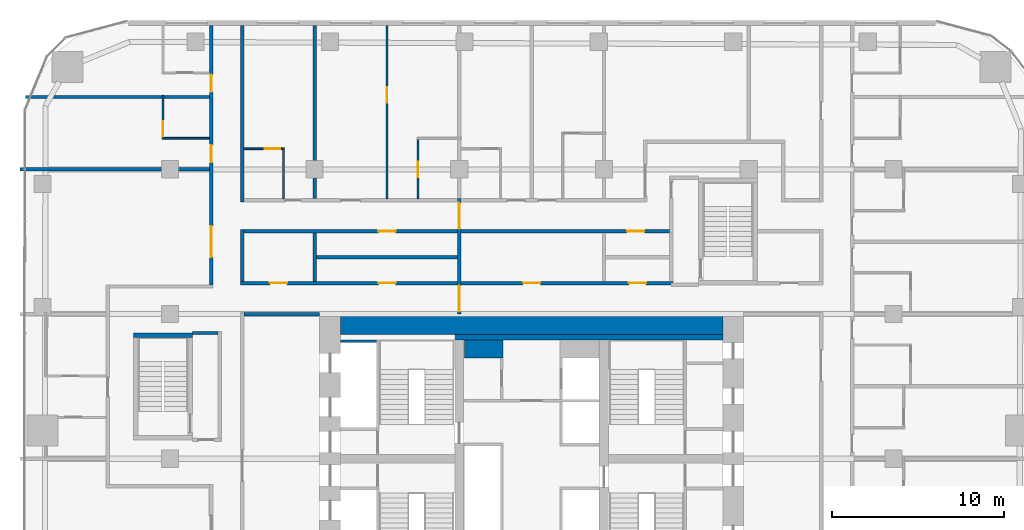
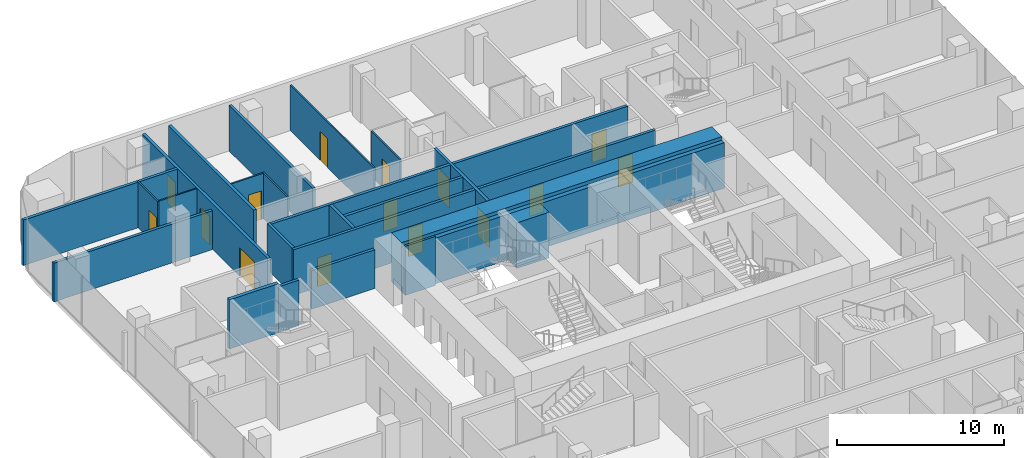
# One storey, part 21 of 26: 24 walls, 15 doors, 15 openings.
"""IFC4 building model written with IfcOpenShell, lengths in metres."""

import ifcopenshell
import ifcopenshell.guid

model = None  # the IFC model being written
_history = None  # IfcOwnerHistory: only IFC2X3 demands one
_inside = {}  # id of a spatial element -> (the spatial element, [elements in it])
_under = {}  # id of a project, library or spatial element -> (it, [spatial elements below it])
_declared = {}  # id of a project -> (the project, [libraries it declares])
_typed = {}  # id of a type object -> (the type object, [elements of that type])
_made_of = {}  # id of a material, layer set ... -> (it, [elements and type objects made of it])


def new_model(schema):
    """Start an empty IFC model of exactly this schema.

    Asked for "IFC4X3", IfcOpenShell would pick the latest addendum, in which some entities
    have other attributes; the version numbers below select the first issue.
    IFC2X3 requires an IfcOwnerHistory on every rooted entity: one is made here for all.
    """
    global model, _history
    if schema == "IFC4X3":
        model = ifcopenshell.file(schema_version=(4, 3, 0, 0))
    else:
        model = ifcopenshell.file(schema=schema)
    _inside.clear()
    _under.clear()
    _declared.clear()
    _typed.clear()
    _made_of.clear()
    _history = None
    if model.schema == "IFC2X3":
        org = make("IfcOrganization", Name="unknown")
        user = make(
            "IfcPersonAndOrganization",
            ThePerson=make("IfcPerson", FamilyName="unknown"),
            TheOrganization=org,
        )
        app = make(
            "IfcApplication",
            ApplicationDeveloper=org,
            Version="unknown",
            ApplicationFullName="unknown",
            ApplicationIdentifier="unknown",
        )
        _history = make(
            "IfcOwnerHistory",
            OwningUser=user,
            OwningApplication=app,
            ChangeAction="ADDED",
            CreationDate=0,
        )
    return model


def make(cls, **values):
    """One entity of the class cls with the attributes given. An attribute that is None is left unset."""
    return model.create_entity(
        cls, **{name: value for name, value in values.items() if value is not None}
    )


def rooted(cls, **values):
    """An entity with a GlobalId (a new one), such as an element, a storey or a relation."""
    return make(cls, GlobalId=ifcopenshell.guid.new(), OwnerHistory=_history, **values)


def si_unit(unit_type, name, prefix=None):
    """IfcSIUnit, for example si_unit("LENGTHUNIT", "METRE", prefix="MILLI")."""
    return make("IfcSIUnit", UnitType=unit_type, Prefix=prefix, Name=name)


def assignment(units):
    """IfcUnitAssignment: the units of a project."""
    return None if units is None else make("IfcUnitAssignment", Units=units)


def point(xyz):
    """IfcCartesianPoint."""
    return None if xyz is None else make("IfcCartesianPoint", Coordinates=xyz)


def direction(xyz):
    """IfcDirection."""
    return None if xyz is None else make("IfcDirection", DirectionRatios=xyz)


def frame(location, z_axis=None, x_axis=None):
    """IfcAxis2Placement3D, a coordinate frame: its origin and axes. An axis left out is left unset."""
    return make(
        "IfcAxis2Placement3D",
        Location=point(location),
        Axis=direction(z_axis),
        RefDirection=direction(x_axis),
    )


def frame_2d(location, x_axis=None):
    """IfcAxis2Placement2D, a coordinate frame in the plane: its origin and x axis."""
    return make(
        "IfcAxis2Placement2D", Location=point(location), RefDirection=direction(x_axis)
    )


def origin():
    """The frame at (0, 0, 0) with its axes left unset."""
    return frame((0.0, 0.0, 0.0))


def place(relative_to, where):
    """IfcLocalPlacement: puts the frame where relative to a parent placement (None: the world)."""
    return make(
        "IfcLocalPlacement", PlacementRelTo=relative_to, RelativePlacement=where
    )


def context(
    kind, dimensions, precision=None, world=None, true_north=None, identifier=None
):
    """IfcGeometricRepresentationContext, for example the 3D "Model" context."""
    return make(
        "IfcGeometricRepresentationContext",
        ContextIdentifier=identifier,
        ContextType=kind,
        CoordinateSpaceDimension=dimensions,
        Precision=precision,
        WorldCoordinateSystem=world,
        TrueNorth=true_north,
    )


def subcontext(parent, identifier, kind, view, scale=None):
    """IfcGeometricRepresentationSubContext, for example "Body" below "Model"."""
    return make(
        "IfcGeometricRepresentationSubContext",
        ContextIdentifier=identifier,
        ContextType=kind,
        ParentContext=parent,
        TargetScale=scale,
        TargetView=view,
    )


def project(units=None, contexts=None):
    """IfcProject with its units and contexts."""
    return rooted(
        "IfcProject",
        Name="project",
        RepresentationContexts=contexts,
        UnitsInContext=assignment(units),
    )


def spatial(cls, under=None, at=None, **own):
    """A site, building, storey or space (cls), placed at a placement, below another one or the project."""
    s = rooted(cls, ObjectPlacement=at, **own)
    if under is not None:
        _under.setdefault(under.id(), (under, []))[1].append(s)
    return s


def profile(cls, at=None, kind="AREA", **sizes):
    """A parametric profile (cls). Its sizes go by their IFC names, for example OverallWidth=200.0."""
    return make(cls, ProfileType=kind, Position=at, **sizes)


def rectangle(**sizes):
    """IfcRectangleProfileDef."""
    return profile("IfcRectangleProfileDef", **sizes)


def extrude(swept, where, along, depth):
    """IfcExtrudedAreaSolid: the profile swept, set in the frame where, extruded along a direction by depth."""
    return make(
        "IfcExtrudedAreaSolid",
        SweptArea=swept,
        Position=where,
        ExtrudedDirection=direction(along),
        Depth=depth,
    )


def shape(context_of_items, identifier, shape_type, items):
    """IfcShapeRepresentation: the items that make up one representation, for example the "Body"."""
    return make(
        "IfcShapeRepresentation",
        ContextOfItems=context_of_items,
        RepresentationIdentifier=identifier,
        RepresentationType=shape_type,
        Items=items,
    )


def material(Name=None, Category=None):
    """IfcMaterial."""
    return make("IfcMaterial", Name=Name, Category=Category)


def layer(
    of_material, thickness, ventilated=None, Name=None, Category=None, Priority=None
):
    """IfcMaterialLayer: one layer of a wall or slab, of a material (None: an air gap)."""
    return make(
        "IfcMaterialLayer",
        Material=of_material,
        LayerThickness=thickness,
        IsVentilated=ventilated,
        Name=Name,
        Category=Category,
        Priority=Priority,
    )


def layer_set(layers, Name=None):
    """IfcMaterialLayerSet."""
    return make("IfcMaterialLayerSet", MaterialLayers=layers, LayerSetName=Name)


def made_of(thing, what):
    """Note that an element or type object is made of a material, layer set ...; save() writes the relation."""
    if what is not None:
        _made_of.setdefault(what.id(), (what, []))[1].append(thing)
    return thing


def type_object(cls, material=None, **own):
    """A type object (cls), such as IfcWallType, which elements share."""
    return made_of(rooted(cls, **own), material)


def element(
    cls,
    number,
    at=None,
    inside=None,
    cuts=None,
    type_object=None,
    material=None,
    context=None,
    identifier="Body",
    shape_type=None,
    held_by="IfcProductDefinitionShape",
    body=None,
    shapes=None,
    **own,
):
    """One element of the class cls, such as IfcWall. Its Tag is "e" and its number.

    at: its placement. inside: the storey or other place that contains it. cuts: it is an
    opening in that element (IfcRelVoidsElement). A single representation is given by context,
    identifier, shape_type and body (its items); several are given by shapes. held_by: the class
    of the entity that holds the representations. save() writes the other relations.
    """
    e = rooted(cls, Tag="e%d" % number, ObjectPlacement=at, **own)
    if body is not None:
        shapes = [shape(context, identifier, shape_type, body)]
    if shapes is not None:
        e.Representation = make(held_by, Representations=shapes)
    if inside is not None:
        _inside.setdefault(inside.id(), (inside, []))[1].append(e)
    if cuts is not None:
        rooted(
            "IfcRelVoidsElement", RelatingBuildingElement=cuts, RelatedOpeningElement=e
        )
    if type_object is not None:
        _typed.setdefault(type_object.id(), (type_object, []))[1].append(e)
    return made_of(e, material)


def fill(opening, filler):
    """IfcRelFillsElement: the door or window that sits in an opening."""
    return rooted(
        "IfcRelFillsElement",
        RelatingOpeningElement=opening,
        RelatedBuildingElement=filler,
    )


def aggregate(whole, parts):
    """IfcRelAggregates: a whole, such as a stair, and the parts it consists of."""
    return rooted("IfcRelAggregates", RelatingObject=whole, RelatedObjects=parts)


def save(model, path):
    """Write the relations noted so far, then the file.

    IfcRelAggregates (storeys below a building ...), IfcRelContainedInSpatialStructure (elements
    in a storey), IfcRelDefinesByType, IfcRelAssociatesMaterial and IfcRelDeclares: one each for
    every whole, place, type object, material and project.
    """
    for whole, parts in _under.values():
        aggregate(whole, parts)
    for where, things in _inside.values():
        rooted(
            "IfcRelContainedInSpatialStructure",
            RelatedElements=things,
            RelatingStructure=where,
        )
    for kind, things in _typed.values():
        rooted("IfcRelDefinesByType", RelatedObjects=things, RelatingType=kind)
    for what, things in _made_of.values():
        rooted("IfcRelAssociatesMaterial", RelatedObjects=things, RelatingMaterial=what)
    for by, libraries in _declared.values():
        rooted("IfcRelDeclares", RelatingContext=by, RelatedDefinitions=libraries)
    model.write(path)


model = new_model("IFC4")

# Units and contexts
model_context = context("Model", 3, precision=1e-05, world=origin(), true_north=direction((0.0, 1.0)))
body_context = subcontext(model_context, "Body", "Model", "MODEL_VIEW")
ifc_project = project(units=[si_unit("LENGTHUNIT", "METRE"), si_unit("AREAUNIT", "SQUARE_METRE"), si_unit("VOLUMEUNIT", "CUBIC_METRE"), si_unit("PLANEANGLEUNIT", "RADIAN"), si_unit("MASSUNIT", "GRAM", prefix="KILO")], contexts=[model_context])

# Site, building, storey
site_placement = place(None, origin())
site = spatial("IfcSite", under=ifc_project, at=site_placement, CompositionType="ELEMENT")
building_placement = place(site_placement, origin())
building = spatial("IfcBuilding", under=site, at=building_placement, Name="Marenta Gate Hotel Tower", CompositionType="ELEMENT")
storey_placement = place(building_placement, frame((0.0, 0.0, 79.699951171875)))
storey = spatial("IfcBuildingStorey", under=building, at=storey_placement, Name="L18", CompositionType="ELEMENT", Elevation=79.699951171875)

# Wall, openings, doors
ifc_material_1 = material(Name="Concrete blockwork", Category="masonry")
ifc_layer_1 = layer(ifc_material_1, 0.199951171875)
ifc_layer_set_1 = layer_set([ifc_layer_1], Name="Concrete blockwork")
wall_type_1 = type_object("IfcWallType", Name="Compartment wall 200 REI 180", PredefinedType="PARTITIONING", material=ifc_layer_set_1)
wall_1_placement = place(storey_placement, frame((-4.199951171875, 16.800048828125, 0.0), z_axis=(0.0, 0.0, 1.0), x_axis=(0.0, 1.0, 0.0)))
wall_1 = element("IfcWall", 1, at=wall_1_placement, inside=storey, type_object=wall_type_1, Name="L18-PTN-W079", PredefinedType="PARTITIONING", context=body_context, shape_type="SweptSolid", body=[
    extrude(rectangle(XDim=6.699951171875, YDim=0.199951171875, at=frame_2d((3.35009765625, 0.0))), origin(), (0.0, 0.0, 1.0), 3.340087890625),
])
opening_1_placement = place(wall_1_placement, frame((0.14990234375, 0.0, 0.0)))
opening_1 = element("IfcOpeningElement", 2, at=opening_1_placement, cuts=wall_1, Name="Opening G07-FD1", PredefinedType="OPENING", context=body_context, shape_type="SweptSolid", body=[
    extrude(rectangle(XDim=1.5, YDim=2.10009765625, at=frame_2d((0.75, 1.050048828125))), frame((0.0, 0.10009765625, 0.0), z_axis=(0.0, -1.0, 0.0), x_axis=(1.0, 0.0, 0.0)), (0.0, 0.0, 1.0), 0.199951171875),
])
opening_2_placement = place(wall_1_placement, frame((4.949951171875, 0.0, 0.0)))
opening_2 = element("IfcOpeningElement", 3, at=opening_2_placement, cuts=wall_1, Name="Opening G07-FD2", PredefinedType="OPENING", context=body_context, shape_type="SweptSolid", body=[
    extrude(rectangle(XDim=1.5, YDim=2.10009765625, at=frame_2d((0.75, 1.050048828125))), frame((0.0, 0.10009765625, 0.0), z_axis=(0.0, -1.0, 0.0), x_axis=(1.0, 0.0, 0.0)), (0.0, 0.0, 1.0), 0.199951171875),
])
ifc_material_2 = material(Name="Hollow steel door set", Category="steel")
door_type_1 = type_object("IfcDoorType", Name="Compartment fire door 1500x2100 EI 60", OperationType="DOUBLE_DOOR_DOUBLE_SWING", PredefinedType="DOOR", material=ifc_material_2)
door_1_placement = place(opening_1_placement, origin())
door_1 = element("IfcDoor", 4, at=door_1_placement, inside=storey, type_object=door_type_1, Name="L18-PD-FD01", OperationType="DOUBLE_DOOR_DOUBLE_SWING", OverallHeight=2.10009765625, OverallWidth=1.5, PredefinedType="DOOR", context=body_context, shape_type="SweptSolid", body=[
    extrude(rectangle(XDim=1.5, YDim=2.10009765625, at=frame_2d((0.75, 1.050048828125))), frame((0.0, 0.02490234375, 0.0), z_axis=(0.0, -1.0, 0.0), x_axis=(1.0, 0.0, 0.0)), (0.0, 0.0, 1.0), 0.050048828125),
])
fill(opening_1, door_1)
door_2_placement = place(opening_2_placement, origin())
door_2 = element("IfcDoor", 5, at=door_2_placement, inside=storey, type_object=door_type_1, Name="L18-PD-FD02", OperationType="DOUBLE_DOOR_DOUBLE_SWING", OverallHeight=2.10009765625, OverallWidth=1.5, PredefinedType="DOOR", context=body_context, shape_type="SweptSolid", body=[
    extrude(rectangle(XDim=1.5, YDim=2.10009765625, at=frame_2d((0.75, 1.050048828125))), frame((0.0, 0.02490234375, 0.0), z_axis=(0.0, -1.0, 0.0), x_axis=(1.0, 0.0, 0.0)), (0.0, 0.0, 1.0), 0.050048828125),
])
fill(opening_2, door_2)

# Walls
ifc_material_3 = material(Name="Concrete blockwork", Category="masonry")
ifc_layer_2 = layer(ifc_material_3, 0.199951171875)
ifc_layer_set_2 = layer_set([ifc_layer_2], Name="Concrete blockwork")
wall_type_2 = type_object("IfcWallType", Name="Core boundary wall 200 REI 180", PredefinedType="PARTITIONING", material=ifc_layer_set_2)
wall_2_placement = place(storey_placement, frame((-16.699951171875, 16.800048828125, 0.0), z_axis=(0.0, 0.0, 1.0), x_axis=(1.0, 0.0, 0.0)))
element("IfcWall", 6, at=wall_2_placement, inside=storey, type_object=wall_type_2, Name="L18-CP-EW-WN", PredefinedType="PARTITIONING", context=body_context, shape_type="SweptSolid", body=[
    extrude(rectangle(XDim=4.39990234375, YDim=0.199951171875, at=frame_2d((2.199951171875, 0.0))), origin(), (0.0, 0.0, 1.0), 2.840087890625),
])
ifc_material_4 = material(Name="Concrete C40", Category="concrete")
ifc_layer_3 = layer(ifc_material_4, 0.300048828125)
ifc_layer_set_3 = layer_set([ifc_layer_3], Name="Concrete C40")
wall_type_3 = type_object("IfcWallType", Name="Core lining wall 300 REI 180", PredefinedType="PARTITIONING", material=ifc_layer_set_3)
wall_3_placement = place(storey_placement, frame((-11.10009765625, 15.449951171875, 0.0), z_axis=(0.0, 0.0, 1.0), x_axis=(1.0, 0.0, 0.0)))
element("IfcWall", 7, at=wall_3_placement, inside=storey, type_object=wall_type_3, Name="L18-CP-LN-N", PredefinedType="PARTITIONING", context=body_context, shape_type="SweptSolid", body=[
    extrude(rectangle(XDim=22.2001953125, YDim=0.300048828125, at=frame_2d((11.10009765625, 0.0))), origin(), (0.0, 0.0, 1.0), 3.340087890625),
])
ifc_material_5 = material(Name="Concrete blockwork", Category="masonry")
ifc_layer_4 = layer(ifc_material_5, 1.050048828125)
ifc_layer_set_4 = layer_set([ifc_layer_4], Name="Concrete blockwork")
wall_type_4 = type_object("IfcWallType", Name="Core room partition 1050 REI 180", PredefinedType="PARTITIONING", material=ifc_layer_set_4)
wall_4_placement = place(storey_placement, frame((-3.89990234375, 14.77490234375, 0.0), z_axis=(0.0, 0.0, 1.0), x_axis=(1.0, 0.0, 0.0)))
element("IfcWall", 8, at=wall_4_placement, inside=storey, type_object=wall_type_4, Name="L18-CP-CW-W-riser-N", PredefinedType="PARTITIONING", context=body_context, shape_type="SweptSolid", body=[
    extrude(rectangle(XDim=2.25, YDim=1.050048828125, at=frame_2d((1.125, 0.0))), origin(), (0.0, 0.0, 1.0), 3.340087890625),
])
ifc_material_6 = material(Name="Concrete C40", Category="concrete")
ifc_layer_5 = layer(ifc_material_6, 0.14990234375)
ifc_layer_set_5 = layer_set([ifc_layer_5], Name="Concrete C40")
wall_type_5 = type_object("IfcWallType", Name="Core shaft wall 150 REI 180", PredefinedType="SHEAR", material=ifc_layer_set_5)
wall_5_placement = place(storey_placement, frame((-11.10009765625, 15.22509765625, 0.0), z_axis=(0.0, 0.0, 1.0), x_axis=(1.0, 0.0, 0.0)))
element("IfcWall", 9, at=wall_5_placement, inside=storey, type_object=wall_type_5, Name="L18-SHF-SW-WN-5", PredefinedType="SHEAR", context=body_context, shape_type="SweptSolid", body=[
    extrude(rectangle(XDim=2.10009765625, YDim=0.14990234375, at=frame_2d((1.050048828125, 0.0))), origin(), (0.0, 0.0, 1.0), 3.60009765625),
])
ifc_material_7 = material(Name="Concrete C80", Category="concrete")
ifc_layer_6 = layer(ifc_material_7, 1.199951171875)
ifc_layer_set_6 = layer_set([ifc_layer_6], Name="Concrete C80")
wall_type_6 = type_object("IfcWallType", Name="Core wall 1200 C80", PredefinedType="SHEAR", material=ifc_layer_set_6)
wall_6_placement = place(storey_placement, frame((-11.10009765625, 16.199951171875, 0.0), z_axis=(0.0, 0.0, 1.0), x_axis=(1.0, 0.0, 0.0)))
element("IfcWall", 10, at=wall_6_placement, inside=storey, type_object=wall_type_6, Name="L18-CORE-N", PredefinedType="SHEAR", context=body_context, shape_type="SweptSolid", body=[
    extrude(rectangle(XDim=22.2001953125, YDim=1.199951171875, at=frame_2d((11.10009765625, 0.0))), origin(), (0.0, 0.0, 1.0), 3.60009765625),
])
ifc_material_8 = material(Name="Concrete C40", Category="concrete")
ifc_layer_7 = layer(ifc_material_8, 0.25)
ifc_layer_set_7 = layer_set([ifc_layer_7], Name="Concrete C40")
wall_type_7 = type_object("IfcWallType", Name="Remote stair enclosure wall 250 REI 180", PredefinedType="SHEAR", material=ifc_layer_set_7)
wall_7_placement = place(storey_placement, frame((-23.10009765625, 15.574951171875, 0.10009765625), z_axis=(0.0, 0.0, 1.0), x_axis=(1.0, 0.0, 0.0)))
element("IfcWall", 11, at=wall_7_placement, inside=storey, type_object=wall_type_7, Name="L18-RS-Z1-3-W2", PredefinedType="SHEAR", context=body_context, shape_type="SweptSolid", body=[
    extrude(rectangle(XDim=3.400146484375, YDim=0.25, at=frame_2d((1.7001953125, 0.0))), origin(), (0.0, 0.0, 1.0), 3.599853515625),
])
ifc_material_9 = material(Name="Concrete blockwork", Category="masonry")
ifc_layer_8 = layer(ifc_material_9, 0.199951171875)
ifc_layer_set_8 = layer_set([ifc_layer_8], Name="Concrete blockwork")
wall_type_8 = type_object("IfcWallType", Name="Room corridor wall 200 EI 120", PredefinedType="PARTITIONING", material=ifc_layer_set_8)
wall_8_placement = place(storey_placement, frame((-16.800048828125, 18.699951171875, 0.0), z_axis=(0.0, 0.0, 1.0), x_axis=(0.0, 1.0, 0.0)))
element("IfcWall", 12, at=wall_8_placement, inside=storey, type_object=wall_type_8, Name="L18-PTN-W109", PredefinedType="PARTITIONING", context=body_context, shape_type="SweptSolid", body=[
    extrude(rectangle(XDim=3.0, YDim=0.199951171875, at=frame_2d((1.5, 0.0))), origin(), (0.0, 0.0, 1.0), 3.340087890625),
])

# Wall, openings, doors
wall_9_placement = place(storey_placement, frame((-16.89990234375, 18.60009765625, 0.0), z_axis=(0.0, 0.0, 1.0), x_axis=(1.0, 0.0, 0.0)))
wall_9 = element("IfcWall", 13, at=wall_9_placement, inside=storey, type_object=wall_type_8, Name="L18-PTN-W118", PredefinedType="PARTITIONING", context=body_context, shape_type="SweptSolid", body=[
    extrude(rectangle(XDim=25.099853515625, YDim=0.199951171875, at=frame_2d((12.5498046875, 0.0))), origin(), (0.0, 0.0, 1.0), 3.340087890625),
])
opening_3_placement = place(wall_9_placement, frame((1.699951171875, 0.0, 0.0)))
opening_3 = element("IfcOpeningElement", 14, at=opening_3_placement, cuts=wall_9, Name="Opening G07-01", PredefinedType="OPENING", context=body_context, shape_type="SweptSolid", body=[
    extrude(rectangle(XDim=1.0, YDim=2.10009765625, at=frame_2d((0.5, 1.050048828125))), frame((0.0, 0.10009765625, 0.0), z_axis=(0.0, -1.0, 0.0), x_axis=(1.0, 0.0, 0.0)), (0.0, 0.0, 1.0), 0.199951171875),
])
opening_4_placement = place(wall_9_placement, frame((16.39990234375, 0.0, 0.0)))
opening_4 = element("IfcOpeningElement", 15, at=opening_4_placement, cuts=wall_9, Name="Opening G07-02", PredefinedType="OPENING", context=body_context, shape_type="SweptSolid", body=[
    extrude(rectangle(XDim=1.0, YDim=2.10009765625, at=frame_2d((0.5, 1.050048828125))), frame((0.0, 0.10009765625, 0.0), z_axis=(0.0, -1.0, 0.0), x_axis=(1.0, 0.0, 0.0)), (0.0, 0.0, 1.0), 0.199951171875),
])
opening_5_placement = place(wall_9_placement, frame((8.0, 0.0, 0.0)))
opening_5 = element("IfcOpeningElement", 16, at=opening_5_placement, cuts=wall_9, Name="Opening G07-72", PredefinedType="OPENING", context=body_context, shape_type="SweptSolid", body=[
    extrude(rectangle(XDim=1.0, YDim=2.10009765625, at=frame_2d((0.5, 1.050048828125))), frame((0.0, 0.10009765625, 0.0), z_axis=(0.0, -1.0, 0.0), x_axis=(1.0, 0.0, 0.0)), (0.0, 0.0, 1.0), 0.199951171875),
])
opening_6_placement = place(wall_9_placement, frame((22.550048828125, 0.0, 0.0)))
opening_6 = element("IfcOpeningElement", 17, at=opening_6_placement, cuts=wall_9, Name="Opening G07-74", PredefinedType="OPENING", context=body_context, shape_type="SweptSolid", body=[
    extrude(rectangle(XDim=1.0, YDim=2.10009765625, at=frame_2d((0.5, 1.050048828125))), frame((0.0, 0.10009765625, 0.0), z_axis=(0.0, -1.0, 0.0), x_axis=(1.0, 0.0, 0.0)), (0.0, 0.0, 1.0), 0.199951171875),
])
ifc_material_10 = material(Name="Timber door leaf", Category="wood")
door_type_2 = type_object("IfcDoorType", Name="Room amenity door 1000x2100 EI 60", OperationType="NOTDEFINED", PredefinedType="DOOR", material=ifc_material_10)
door_3_placement = place(opening_5_placement, origin())
door_3 = element("IfcDoor", 18, at=door_3_placement, inside=storey, type_object=door_type_2, Name="L18-PD-D072", OperationType="SINGLE_SWING_RIGHT", OverallHeight=2.10009765625, OverallWidth=1.0, PredefinedType="DOOR", context=body_context, shape_type="SweptSolid", body=[
    extrude(rectangle(XDim=1.0, YDim=2.10009765625, at=frame_2d((0.5, 1.050048828125))), frame((0.0, 0.02490234375, 0.0), z_axis=(0.0, -1.0, 0.0), x_axis=(1.0, 0.0, 0.0)), (0.0, 0.0, 1.0), 0.050048828125),
])
fill(opening_5, door_3)
door_4_placement = place(opening_6_placement, origin())
door_4 = element("IfcDoor", 19, at=door_4_placement, inside=storey, type_object=door_type_2, Name="L18-PD-D074", OperationType="SINGLE_SWING_RIGHT", OverallHeight=2.10009765625, OverallWidth=1.0, PredefinedType="DOOR", context=body_context, shape_type="SweptSolid", body=[
    extrude(rectangle(XDim=1.0, YDim=2.10009765625, at=frame_2d((0.5, 1.050048828125))), frame((0.0, 0.02490234375, 0.0), z_axis=(0.0, -1.0, 0.0), x_axis=(1.0, 0.0, 0.0)), (0.0, 0.0, 1.0), 0.050048828125),
])
fill(opening_6, door_4)
ifc_material_11 = material(Name="Hollow steel door set", Category="steel")
door_type_3 = type_object("IfcDoorType", Name="Room service door 1000x2100 EI 60", OperationType="NOTDEFINED", PredefinedType="DOOR", material=ifc_material_11)
door_5_placement = place(opening_3_placement, origin())
door_5 = element("IfcDoor", 20, at=door_5_placement, inside=storey, type_object=door_type_3, Name="L18-PD-D001", OperationType="SINGLE_SWING_RIGHT", OverallHeight=2.10009765625, OverallWidth=1.0, PredefinedType="DOOR", context=body_context, shape_type="SweptSolid", body=[
    extrude(rectangle(XDim=1.0, YDim=2.10009765625, at=frame_2d((0.5, 1.050048828125))), frame((0.0, 0.02490234375, 0.0), z_axis=(0.0, -1.0, 0.0), x_axis=(1.0, 0.0, 0.0)), (0.0, 0.0, 1.0), 0.050048828125),
])
fill(opening_3, door_5)
door_6_placement = place(opening_4_placement, origin())
door_6 = element("IfcDoor", 21, at=door_6_placement, inside=storey, type_object=door_type_3, Name="L18-PD-D002", OperationType="SINGLE_SWING_LEFT", OverallHeight=2.10009765625, OverallWidth=1.0, PredefinedType="DOOR", context=body_context, shape_type="SweptSolid", body=[
    extrude(rectangle(XDim=1.0, YDim=2.10009765625, at=frame_2d((0.5, 1.050048828125))), frame((0.0, 0.02490234375, 0.0), z_axis=(0.0, -1.0, 0.0), x_axis=(1.0, 0.0, 0.0)), (0.0, 0.0, 1.0), 0.050048828125),
])
fill(opening_4, door_6)

wall_10_placement = place(storey_placement, frame((-16.699951171875, 21.60009765625, 0.0), z_axis=(0.0, 0.0, 1.0), x_axis=(1.0, 0.0, 0.0)))
wall_10 = element("IfcWall", 22, at=wall_10_placement, inside=storey, type_object=wall_type_8, Name="L18-PTN-W126", PredefinedType="PARTITIONING", context=body_context, shape_type="SweptSolid", body=[
    extrude(rectangle(XDim=24.699951171875, YDim=0.199951171875, at=frame_2d((12.35009765625, 0.0))), origin(), (0.0, 0.0, 1.0), 3.340087890625),
])
opening_7_placement = place(wall_10_placement, frame((7.800048828125, 0.0, 0.0)))
opening_7 = element("IfcOpeningElement", 23, at=opening_7_placement, cuts=wall_10, Name="Opening G07-73", PredefinedType="OPENING", context=body_context, shape_type="SweptSolid", body=[
    extrude(rectangle(XDim=1.0, YDim=2.10009765625, at=frame_2d((0.5, 1.050048828125))), frame((0.0, 0.10009765625, 0.0), z_axis=(0.0, -1.0, 0.0), x_axis=(1.0, 0.0, 0.0)), (0.0, 0.0, 1.0), 0.199951171875),
])
opening_8_placement = place(wall_10_placement, frame((22.25, 0.0, 0.0)))
opening_8 = element("IfcOpeningElement", 24, at=opening_8_placement, cuts=wall_10, Name="Opening G07-75", PredefinedType="OPENING", context=body_context, shape_type="SweptSolid", body=[
    extrude(rectangle(XDim=1.0, YDim=2.10009765625, at=frame_2d((0.5, 1.050048828125))), frame((0.0, 0.10009765625, 0.0), z_axis=(0.0, -1.0, 0.0), x_axis=(1.0, 0.0, 0.0)), (0.0, 0.0, 1.0), 0.199951171875),
])
door_7_placement = place(opening_7_placement, origin())
door_7 = element("IfcDoor", 25, at=door_7_placement, inside=storey, type_object=door_type_2, Name="L18-PD-D073", OperationType="SINGLE_SWING_RIGHT", OverallHeight=2.10009765625, OverallWidth=1.0, PredefinedType="DOOR", context=body_context, shape_type="SweptSolid", body=[
    extrude(rectangle(XDim=1.0, YDim=2.10009765625, at=frame_2d((0.5, 1.050048828125))), frame((0.0, 0.02490234375, 0.0), z_axis=(0.0, -1.0, 0.0), x_axis=(1.0, 0.0, 0.0)), (0.0, 0.0, 1.0), 0.050048828125),
])
fill(opening_7, door_7)
door_8_placement = place(opening_8_placement, origin())
door_8 = element("IfcDoor", 26, at=door_8_placement, inside=storey, type_object=door_type_2, Name="L18-PD-D075", OperationType="SINGLE_SWING_LEFT", OverallHeight=2.10009765625, OverallWidth=1.0, PredefinedType="DOOR", context=body_context, shape_type="SweptSolid", body=[
    extrude(rectangle(XDim=1.0, YDim=2.10009765625, at=frame_2d((0.5, 1.050048828125))), frame((0.0, 0.02490234375, 0.0), z_axis=(0.0, -1.0, 0.0), x_axis=(1.0, 0.0, 0.0)), (0.0, 0.0, 1.0), 0.050048828125),
])
fill(opening_8, door_8)

# Wall
ifc_material_12 = material(Name="Gypsum board on steel stud", Category="steel")
ifc_layer_9 = layer(ifc_material_12, 0.199951171875)
ifc_layer_set_9 = layer_set([ifc_layer_9], Name="Gypsum board on steel stud")
wall_type_9 = type_object("IfcWallType", Name="Room corridor wall 200 EI 60", PredefinedType="PARTITIONING", material=ifc_layer_set_9)
wall_11_placement = place(storey_placement, frame((-16.800048828125, 23.300048828125, 0.0), z_axis=(0.0, 0.0, 1.0), x_axis=(0.0, 1.0, 0.0)))
element("IfcWall", 27, at=wall_11_placement, inside=storey, type_object=wall_type_9, Name="L18-PTN-W110", PredefinedType="PARTITIONING", context=body_context, shape_type="SweptSolid", body=[
    extrude(rectangle(XDim=10.239990234375, YDim=0.199951171875, at=frame_2d((5.1201171875, 0.0))), origin(), (0.0, 0.0, 1.0), 3.340087890625),
])

# Wall, openings, doors
wall_12_placement = place(storey_placement, frame((-18.60009765625, 18.5, 0.0), z_axis=(0.0, 0.0, 1.0), x_axis=(0.0, 1.0, 0.0)))
wall_12 = element("IfcWall", 28, at=wall_12_placement, inside=storey, type_object=wall_type_9, Name="L18-PTN-W117", PredefinedType="PARTITIONING", context=body_context, shape_type="SweptSolid", body=[
    extrude(rectangle(XDim=15.0400390625, YDim=0.199951171875, at=frame_2d((7.52001953125, 0.0))), origin(), (0.0, 0.0, 1.0), 3.340087890625),
])
opening_9_placement = place(wall_12_placement, frame((1.60009765625, 0.0, 0.0)))
opening_9 = element("IfcOpeningElement", 29, at=opening_9_placement, cuts=wall_12, Name="Opening G07-59", PredefinedType="OPENING", context=body_context, shape_type="SweptSolid", body=[
    extrude(rectangle(XDim=1.800048828125, YDim=2.10009765625, at=frame_2d((0.89990234375, 1.050048828125))), frame((0.0, 0.10009765625, 0.0), z_axis=(0.0, -1.0, 0.0), x_axis=(1.0, 0.0, 0.0)), (0.0, 0.0, 1.0), 0.199951171875),
])
opening_10_placement = place(wall_12_placement, frame((7.10009765625, 0.0, 0.0)))
opening_10 = element("IfcOpeningElement", 30, at=opening_10_placement, cuts=wall_12, Name="Opening G07-60", PredefinedType="OPENING", context=body_context, shape_type="SweptSolid", body=[
    extrude(rectangle(XDim=1.0, YDim=2.10009765625, at=frame_2d((0.5, 1.050048828125))), frame((0.0, 0.10009765625, 0.0), z_axis=(0.0, -1.0, 0.0), x_axis=(1.0, 0.0, 0.0)), (0.0, 0.0, 1.0), 0.199951171875),
])
opening_11_placement = place(wall_12_placement, frame((11.199951171875, 0.0, 0.0)))
opening_11 = element("IfcOpeningElement", 31, at=opening_11_placement, cuts=wall_12, Name="Opening G07-62", PredefinedType="OPENING", context=body_context, shape_type="SweptSolid", body=[
    extrude(rectangle(XDim=1.0, YDim=2.10009765625, at=frame_2d((0.5, 1.050048828125))), frame((0.0, 0.10009765625, 0.0), z_axis=(0.0, -1.0, 0.0), x_axis=(1.0, 0.0, 0.0)), (0.0, 0.0, 1.0), 0.199951171875),
])
ifc_material_13 = material(Name="Timber door leaf", Category="wood")
door_type_4 = type_object("IfcDoorType", Name="Guest room door 1000x2100 EI 30", OperationType="NOTDEFINED", PredefinedType="DOOR", material=ifc_material_13)
door_9_placement = place(opening_10_placement, origin())
door_9 = element("IfcDoor", 32, at=door_9_placement, inside=storey, type_object=door_type_4, Name="L18-PD-D060", OperationType="SINGLE_SWING_LEFT", OverallHeight=2.10009765625, OverallWidth=1.0, PredefinedType="DOOR", context=body_context, shape_type="SweptSolid", body=[
    extrude(rectangle(XDim=1.0, YDim=2.10009765625, at=frame_2d((0.5, 1.050048828125))), frame((0.0, 0.02490234375, 0.0), z_axis=(0.0, -1.0, 0.0), x_axis=(1.0, 0.0, 0.0)), (0.0, 0.0, 1.0), 0.050048828125),
])
fill(opening_10, door_9)
door_10_placement = place(opening_11_placement, origin())
door_10 = element("IfcDoor", 33, at=door_10_placement, inside=storey, type_object=door_type_4, Name="L18-PD-D062", OperationType="SINGLE_SWING_RIGHT", OverallHeight=2.10009765625, OverallWidth=1.0, PredefinedType="DOOR", context=body_context, shape_type="SweptSolid", body=[
    extrude(rectangle(XDim=1.0, YDim=2.10009765625, at=frame_2d((0.5, 1.050048828125))), frame((0.0, 0.02490234375, 0.0), z_axis=(0.0, -1.0, 0.0), x_axis=(1.0, 0.0, 0.0)), (0.0, 0.0, 1.0), 0.050048828125),
])
fill(opening_11, door_10)
ifc_material_14 = material(Name="Timber door leaf", Category="wood")
door_type_5 = type_object("IfcDoorType", Name="Room amenity door 1800x2100 EI 30", OperationType="DOUBLE_DOOR_SINGLE_SWING", PredefinedType="DOOR", material=ifc_material_14)
door_11_placement = place(opening_9_placement, origin())
door_11 = element("IfcDoor", 34, at=door_11_placement, inside=storey, type_object=door_type_5, Name="L18-PD-D059", OperationType="DOUBLE_DOOR_SINGLE_SWING", OverallHeight=2.10009765625, OverallWidth=1.800048828125, PredefinedType="DOOR", context=body_context, shape_type="SweptSolid", body=[
    extrude(rectangle(XDim=1.800048828125, YDim=2.10009765625, at=frame_2d((0.89990234375, 1.050048828125))), frame((0.0, 0.02490234375, 0.0), z_axis=(0.0, -1.0, 0.0), x_axis=(1.0, 0.0, 0.0)), (0.0, 0.0, 1.0), 0.050048828125),
])
fill(opening_9, door_11)

# Wall
ifc_material_15 = material(Name="Concrete blockwork", Category="masonry")
ifc_layer_10 = layer(ifc_material_15, 0.199951171875)
ifc_layer_set_10 = layer_set([ifc_layer_10], Name="Concrete blockwork")
wall_type_10 = type_object("IfcWallType", Name="Room corridor wall 200 REI 180", PredefinedType="PARTITIONING", material=ifc_layer_set_10)
wall_13_placement = place(storey_placement, frame((-19.699951171875, 15.699951171875, 0.0), z_axis=(0.0, 0.0, 1.0), x_axis=(1.0, 0.0, 0.0)))
element("IfcWall", 35, at=wall_13_placement, inside=storey, type_object=wall_type_10, Name="L18-PTN-W106", PredefinedType="PARTITIONING", context=body_context, shape_type="SweptSolid", body=[
    extrude(rectangle(XDim=1.5, YDim=0.199951171875, at=frame_2d((0.75, 0.0))), origin(), (0.0, 0.0, 1.0), 3.340087890625),
])

# Wall, opening, door
ifc_material_16 = material(Name="Gypsum board on steel stud", Category="steel")
ifc_layer_11 = layer(ifc_material_16, 0.10009765625)
ifc_layer_set_11 = layer_set([ifc_layer_11], Name="Gypsum board on steel stud")
wall_type_11 = type_object("IfcWallType", Name="Room partition 100", PredefinedType="PARTITIONING", material=ifc_layer_set_11)
wall_14_placement = place(storey_placement, frame((-6.60009765625, 23.5, 0.0), z_axis=(0.0, 0.0, 1.0), x_axis=(0.0, 1.0, 0.0)))
wall_14 = element("IfcWall", 36, at=wall_14_placement, inside=storey, type_object=wall_type_11, Name="L18-PTN-W086", PredefinedType="PARTITIONING", context=body_context, shape_type="SweptSolid", body=[
    extrude(rectangle(XDim=3.449951171875, YDim=0.10009765625, at=frame_2d((1.72509765625, 0.0))), origin(), (0.0, 0.0, 1.0), 3.340087890625),
])
opening_12_placement = place(wall_14_placement, frame((1.25, 0.0, 0.0)))
opening_12 = element("IfcOpeningElement", 37, at=opening_12_placement, cuts=wall_14, Name="Opening G07-35", PredefinedType="OPENING", context=body_context, shape_type="SweptSolid", body=[
    extrude(rectangle(XDim=0.89990234375, YDim=2.10009765625, at=frame_2d((0.449951171875, 1.050048828125))), frame((0.0, 0.050048828125, 0.0), z_axis=(0.0, -1.0, 0.0), x_axis=(1.0, 0.0, 0.0)), (0.0, 0.0, 1.0), 0.10009765625),
])
ifc_material_17 = material(Name="Timber door leaf", Category="wood")
door_type_6 = type_object("IfcDoorType", Name="Guest bathroom door 900x2100", OperationType="NOTDEFINED", PredefinedType="DOOR", material=ifc_material_17)
door_12_placement = place(opening_12_placement, origin())
door_12 = element("IfcDoor", 38, at=door_12_placement, inside=storey, type_object=door_type_6, Name="L18-PD-D035", OperationType="SINGLE_SWING_RIGHT", OverallHeight=2.10009765625, OverallWidth=0.89990234375, PredefinedType="DOOR", context=body_context, shape_type="SweptSolid", body=[
    extrude(rectangle(XDim=0.89990234375, YDim=2.10009765625, at=frame_2d((0.449951171875, 1.050048828125))), frame((0.0, 0.02490234375, 0.0), z_axis=(0.0, -1.0, 0.0), x_axis=(1.0, 0.0, 0.0)), (0.0, 0.0, 1.0), 0.050048828125),
])
fill(opening_12, door_12)

wall_15_placement = place(storey_placement, frame((-8.39990234375, 23.5, 0.0), z_axis=(0.0, 0.0, 1.0), x_axis=(0.0, 1.0, 0.0)))
wall_15 = element("IfcWall", 39, at=wall_15_placement, inside=storey, type_object=wall_type_11, Name="L18-PTN-W088", PredefinedType="PARTITIONING", context=body_context, shape_type="SweptSolid", body=[
    extrude(rectangle(XDim=10.0400390625, YDim=0.10009765625, at=frame_2d((5.02001953125, 0.0))), origin(), (0.0, 0.0, 1.0), 3.340087890625),
])
opening_13_placement = place(wall_15_placement, frame((5.570068359375, 0.0, 0.0)))
opening_13 = element("IfcOpeningElement", 40, at=opening_13_placement, cuts=wall_15, Name="Opening G07-34", PredefinedType="OPENING", context=body_context, shape_type="SweptSolid", body=[
    extrude(rectangle(XDim=0.89990234375, YDim=2.10009765625, at=frame_2d((0.449951171875, 1.050048828125))), frame((0.0, 0.050048828125, 0.0), z_axis=(0.0, -1.0, 0.0), x_axis=(1.0, 0.0, 0.0)), (0.0, 0.0, 1.0), 0.10009765625),
])
ifc_material_18 = material(Name="Timber door leaf", Category="wood")
door_type_7 = type_object("IfcDoorType", Name="Room inner door 900x2100", OperationType="NOTDEFINED", PredefinedType="DOOR", material=ifc_material_18)
door_13_placement = place(opening_13_placement, origin())
door_13 = element("IfcDoor", 41, at=door_13_placement, inside=storey, type_object=door_type_7, Name="L18-PD-D034", OperationType="SINGLE_SWING_RIGHT", OverallHeight=2.10009765625, OverallWidth=0.89990234375, PredefinedType="DOOR", context=body_context, shape_type="SweptSolid", body=[
    extrude(rectangle(XDim=0.89990234375, YDim=2.10009765625, at=frame_2d((0.449951171875, 1.050048828125))), frame((0.0, 0.02490234375, 0.0), z_axis=(0.0, -1.0, 0.0), x_axis=(1.0, 0.0, 0.0)), (0.0, 0.0, 1.0), 0.050048828125),
])
fill(opening_13, door_13)

# Wall
wall_16_placement = place(storey_placement, frame((-14.39990234375, 23.5, 0.0), z_axis=(0.0, 0.0, 1.0), x_axis=(0.0, 1.0, 0.0)))
element("IfcWall", 42, at=wall_16_placement, inside=storey, type_object=wall_type_11, Name="L18-PTN-W102", PredefinedType="PARTITIONING", context=body_context, shape_type="SweptSolid", body=[
    extrude(rectangle(XDim=2.949951171875, YDim=0.10009765625, at=frame_2d((1.47509765625, 0.0))), origin(), (0.0, 0.0, 1.0), 3.340087890625),
])

# Wall, opening, door
wall_17_placement = place(storey_placement, frame((-21.39990234375, 26.949951171875, 0.0), z_axis=(0.0, 0.0, 1.0), x_axis=(0.0, 1.0, 0.0)))
wall_17 = element("IfcWall", 43, at=wall_17_placement, inside=storey, type_object=wall_type_11, Name="L18-PTN-W124", PredefinedType="PARTITIONING", context=body_context, shape_type="SweptSolid", body=[
    extrude(rectangle(XDim=2.550048828125, YDim=0.10009765625, at=frame_2d((1.27490234375, 0.0))), origin(), (0.0, 0.0, 1.0), 3.340087890625),
])
opening_14_placement = place(wall_17_placement, frame((0.14990234375, 0.0, 0.0)))
opening_14 = element("IfcOpeningElement", 44, at=opening_14_placement, cuts=wall_17, Name="Opening G07-61", PredefinedType="OPENING", context=body_context, shape_type="SweptSolid", body=[
    extrude(rectangle(XDim=0.89990234375, YDim=2.10009765625, at=frame_2d((0.449951171875, 1.050048828125))), frame((0.0, 0.050048828125, 0.0), z_axis=(0.0, -1.0, 0.0), x_axis=(1.0, 0.0, 0.0)), (0.0, 0.0, 1.0), 0.10009765625),
])
door_14_placement = place(opening_14_placement, origin())
door_14 = element("IfcDoor", 45, at=door_14_placement, inside=storey, type_object=door_type_6, Name="L18-PD-D061", OperationType="SINGLE_SWING_RIGHT", OverallHeight=2.10009765625, OverallWidth=0.89990234375, PredefinedType="DOOR", context=body_context, shape_type="SweptSolid", body=[
    extrude(rectangle(XDim=0.89990234375, YDim=2.10009765625, at=frame_2d((0.449951171875, 1.050048828125))), frame((0.0, 0.02490234375, 0.0), z_axis=(0.0, -1.0, 0.0), x_axis=(1.0, 0.0, 0.0)), (0.0, 0.0, 1.0), 0.050048828125),
])
fill(opening_14, door_14)

wall_18_placement = place(storey_placement, frame((-16.699951171875, 26.39990234375, 0.0), z_axis=(0.0, 0.0, 1.0), x_axis=(1.0, 0.0, 0.0)))
wall_18 = element("IfcWall", 46, at=wall_18_placement, inside=storey, type_object=wall_type_11, Name="L18-PTN-W137", PredefinedType="PARTITIONING", context=body_context, shape_type="SweptSolid", body=[
    extrude(rectangle(XDim=2.25, YDim=0.10009765625, at=frame_2d((1.125, 0.0))), origin(), (0.0, 0.0, 1.0), 3.340087890625),
])
opening_15_placement = place(wall_18_placement, frame((1.199951171875, 0.0, 0.0)))
opening_15 = element("IfcOpeningElement", 47, at=opening_15_placement, cuts=wall_18, Name="Opening G07-32", PredefinedType="OPENING", context=body_context, shape_type="SweptSolid", body=[
    extrude(rectangle(XDim=0.89990234375, YDim=2.10009765625, at=frame_2d((0.449951171875, 1.050048828125))), frame((0.0, 0.050048828125, 0.0), z_axis=(0.0, -1.0, 0.0), x_axis=(1.0, 0.0, 0.0)), (0.0, 0.0, 1.0), 0.10009765625),
])
door_15_placement = place(opening_15_placement, origin())
door_15 = element("IfcDoor", 48, at=door_15_placement, inside=storey, type_object=door_type_6, Name="L18-PD-D032", OperationType="SINGLE_SWING_LEFT", OverallHeight=2.10009765625, OverallWidth=0.89990234375, PredefinedType="DOOR", context=body_context, shape_type="SweptSolid", body=[
    extrude(rectangle(XDim=0.89990234375, YDim=2.10009765625, at=frame_2d((0.449951171875, 1.050048828125))), frame((0.0, 0.02490234375, 0.0), z_axis=(0.0, -1.0, 0.0), x_axis=(1.0, 0.0, 0.0)), (0.0, 0.0, 1.0), 0.050048828125),
])
fill(opening_15, door_15)

# Walls
wall_19_placement = place(storey_placement, frame((-21.35009765625, 27.0, 0.0), z_axis=(0.0, 0.0, 1.0), x_axis=(1.0, 0.0, 0.0)))
element("IfcWall", 49, at=wall_19_placement, inside=storey, type_object=wall_type_11, Name="L18-PTN-W140", PredefinedType="PARTITIONING", context=body_context, shape_type="SweptSolid", body=[
    extrude(rectangle(XDim=2.650146484375, YDim=0.10009765625, at=frame_2d((1.3251953125, 0.0))), origin(), (0.0, 0.0, 1.0), 3.340087890625),
])
ifc_material_19 = material(Name="Concrete blockwork", Category="masonry")
ifc_layer_12 = layer(ifc_material_19, 0.199951171875)
ifc_layer_set_12 = layer_set([ifc_layer_12], Name="Concrete blockwork")
wall_type_12 = type_object("IfcWallType", Name="Room party wall 200 EI 120", PredefinedType="PARTITIONING", material=ifc_layer_set_12)
wall_20_placement = place(storey_placement, frame((-12.60009765625, 18.699951171875, 0.0), z_axis=(0.0, 0.0, 1.0), x_axis=(0.0, 1.0, 0.0)))
element("IfcWall", 50, at=wall_20_placement, inside=storey, type_object=wall_type_12, Name="L18-PTN-W097", PredefinedType="PARTITIONING", context=body_context, shape_type="SweptSolid", body=[
    extrude(rectangle(XDim=2.800048828125, YDim=0.199951171875, at=frame_2d((1.39990234375, 0.0))), origin(), (0.0, 0.0, 1.0), 3.340087890625),
])
ifc_material_20 = material(Name="Gypsum board on steel stud", Category="steel")
ifc_layer_13 = layer(ifc_material_20, 0.199951171875)
ifc_layer_set_13 = layer_set([ifc_layer_13], Name="Gypsum board on steel stud")
wall_type_13 = type_object("IfcWallType", Name="Room party wall 200 EI 60", PredefinedType="PARTITIONING", material=ifc_layer_set_13)
wall_21_placement = place(storey_placement, frame((-12.60009765625, 23.5, 0.0), z_axis=(0.0, 0.0, 1.0), x_axis=(0.0, 1.0, 0.0)))
element("IfcWall", 51, at=wall_21_placement, inside=storey, type_object=wall_type_13, Name="L18-PTN-W098", PredefinedType="PARTITIONING", context=body_context, shape_type="SweptSolid", body=[
    extrude(rectangle(XDim=10.0400390625, YDim=0.199951171875, at=frame_2d((5.02001953125, 0.0))), origin(), (0.0, 0.0, 1.0), 3.340087890625),
])
wall_22_placement = place(storey_placement, frame((-12.5, 20.10009765625, 0.0), z_axis=(0.0, 0.0, 1.0), x_axis=(1.0, 0.0, 0.0)))
element("IfcWall", 52, at=wall_22_placement, inside=storey, type_object=wall_type_13, Name="L18-PTN-W121", PredefinedType="PARTITIONING", context=body_context, shape_type="SweptSolid", body=[
    extrude(rectangle(XDim=8.199951171875, YDim=0.199951171875, at=frame_2d((4.10009765625, 0.0))), origin(), (0.0, 0.0, 1.0), 3.340087890625),
])
wall_23_placement = place(storey_placement, frame((-29.699951171875, 25.199951171875, 0.0), z_axis=(0.0, 0.0, 1.0), x_axis=(1.0, 0.0, 0.0)))
element("IfcWall", 53, at=wall_23_placement, inside=storey, type_object=wall_type_13, Name="L18-PTN-W135", PredefinedType="PARTITIONING", context=body_context, shape_type="SweptSolid", body=[
    extrude(rectangle(XDim=11.0, YDim=0.199951171875, at=frame_2d((5.5, 0.0))), origin(), (0.0, 0.0, 1.0), 2.840087890625),
])
wall_24_placement = place(storey_placement, frame((-29.39306640625, 29.39990234375, 0.0), z_axis=(0.0, 0.0, 1.0), x_axis=(1.0, 0.0, 0.0)))
element("IfcWall", 54, at=wall_24_placement, inside=storey, type_object=wall_type_13, Name="L18-PTN-W146", PredefinedType="PARTITIONING", context=body_context, shape_type="SweptSolid", body=[
    extrude(rectangle(XDim=10.693115234375, YDim=0.199951171875, at=frame_2d((5.3466796875, 0.0))), origin(), (0.0, 0.0, 1.0), 3.340087890625),
])

save(model, "model.ifc")
